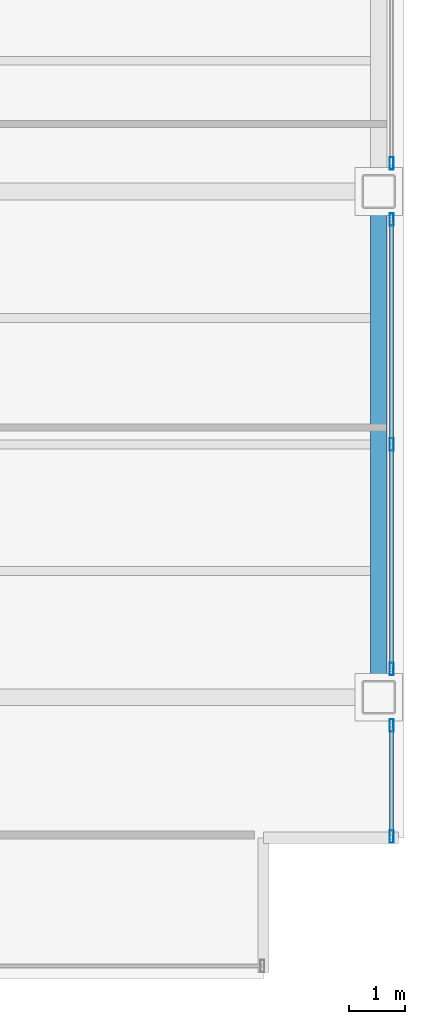
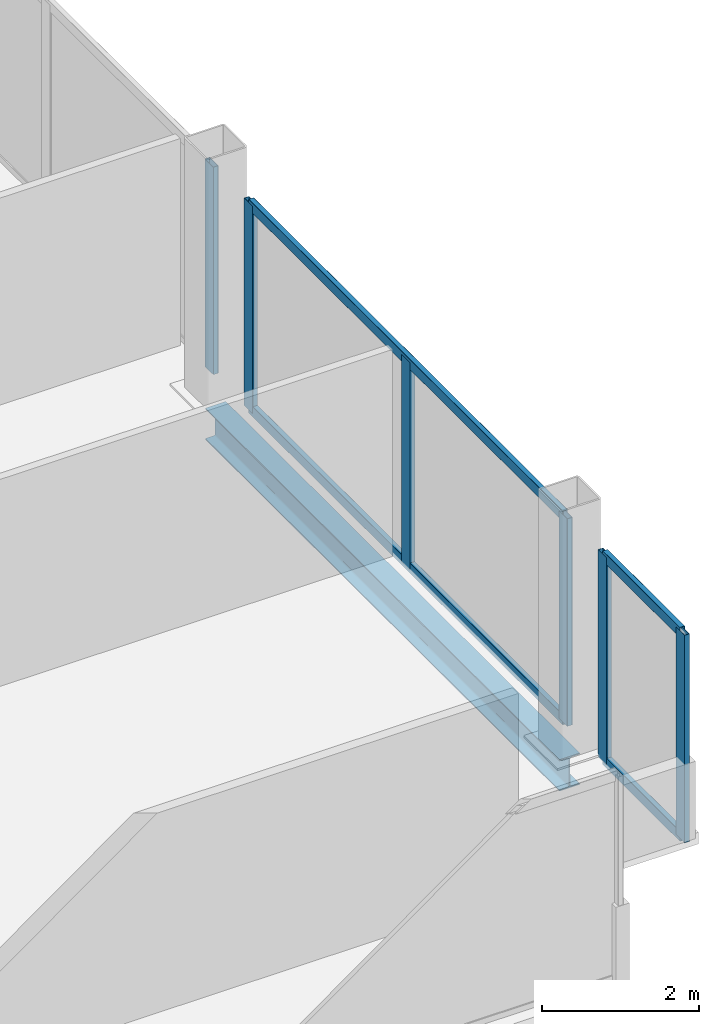
# One storey, part 10 of 20: 10 members, 1 beam, 3 elements without a shape of their own.
"""IFC4 building model written with IfcOpenShell, lengths in metres."""

from ifc_helpers import new_model, si_unit, direction, frame, origin, origin_2d, place, context, subcontext, project, spatial, hollow_rectangle, i_section, extrude, material, material_profile, profile_set, type_object, element, aggregate, save


model = new_model("IFC4")

# Units and contexts
model_context = context("Model", 3, precision=1e-05, world=origin(), true_north=direction((0.0, 1.0)))
body_context = subcontext(model_context, "Body", "Model", "MODEL_VIEW")
ifc_project = project(units=[si_unit("LENGTHUNIT", "METRE"), si_unit("AREAUNIT", "SQUARE_METRE"), si_unit("VOLUMEUNIT", "CUBIC_METRE"), si_unit("PLANEANGLEUNIT", "RADIAN"), si_unit("MASSUNIT", "GRAM", prefix="KILO")], contexts=[model_context])

# Site, building, storey
site_placement = place(None, origin())
site = spatial("IfcSite", under=ifc_project, at=site_placement, CompositionType="ELEMENT")
building_placement = place(site_placement, origin())
building = spatial("IfcBuilding", under=site, at=building_placement, Name="Noeulbin Bourse Tower", CompositionType="ELEMENT")
storey_placement = place(building_placement, frame((0.0, 0.0, 73.300048828125)))
storey = spatial("IfcBuildingStorey", under=building, at=storey_placement, Name="L18", CompositionType="ELEMENT", Elevation=73.300048828125)

# Beam
ifc_material_1 = material(Name="Steel S355", Category="steel")
ifc_material_profile_1 = material_profile(ifc_material_1, i_section(OverallWidth=0.300048828125, OverallDepth=0.488037109375, WebThickness=0.010986328125, FlangeThickness=0.01806640625, FilletRadius=0.02197265625, at=origin_2d()), Name="H-488x300x11x18", Category="LoadBearing")
ifc_profile_set_1 = profile_set([ifc_material_profile_1], Name="Steel S355")
beam_type = type_object("IfcBeamType", Name="BM-SPN-488", PredefinedType="SPANDREL", material=ifc_profile_set_1)
beam_placement = place(storey_placement, frame((57.050048828125, 20.0, -0.424072265625), z_axis=(0.0, 1.0, 0.0), x_axis=(-1.0, 0.0, 0.0)))
element("IfcBeam", 1, at=beam_placement, inside=storey, type_object=beam_type, Name="East Spandrel L18-1", PredefinedType="SPANDREL", context=body_context, shape_type="SweptSolid", body=[
    extrude(i_section(OverallWidth=0.300048828125, OverallDepth=0.488037109375, WebThickness=0.010986328125, FlangeThickness=0.01806640625, FilletRadius=0.02197265625, at=origin_2d()), origin(), (0.0, 0.0, 1.0), 9.0),
])

# Curtain wall, members
ifc_material_2 = material(Name="Dark Solar-Control Double Glazing", Category="glass")
curtain_wall_type = type_object("IfcCurtainWallType", Name="CW-SYS-2", PredefinedType="NOTDEFINED", material=ifc_material_2)
curtain_wall_1_placement = place(storey_placement, origin())
curtain_wall_1 = element("IfcCurtainWall", 2, at=curtain_wall_1_placement, inside=storey, type_object=curtain_wall_type, Name="Unitised Curtain Wall CW-L18-E-S1", PredefinedType="NOTDEFINED")
ifc_material_3 = material(Name="Anodised Aluminium 6063-T6", Category="aluminium")
ifc_material_profile_2 = material_profile(ifc_material_3, hollow_rectangle(XDim=0.074951171875, YDim=0.219970703125, WallThickness=0.0048828125, InnerFilletRadius=0.00244140625, OuterFilletRadius=0.0048828125, at=origin_2d()), Name="ALU-MULL-75x220x5", Category="LoadBearing")
ifc_profile_set_2 = profile_set([ifc_material_profile_2], Name="Anodised Aluminium 6063-T6")
member_type_1 = type_object("IfcMemberType", Name="CW-SYS-2-MUL", PredefinedType="MULLION", material=ifc_profile_set_2)
member_1_placement = place(storey_placement, frame((57.280029296875, 17.52001953125, -0.02001953125), z_axis=(0.0, 0.0, 1.0), x_axis=(1.0, 0.0, 0.0)))
member_1 = element("IfcMember", 3, at=member_1_placement, type_object=member_type_1, Name="Curtain Wall Mullion CW-L18-E-S1-M00", PredefinedType="MULLION", context=body_context, shape_type="SweptSolid", body=[
    extrude(hollow_rectangle(XDim=0.074951171875, YDim=0.219970703125, WallThickness=0.0048828125, InnerFilletRadius=0.00244140625, OuterFilletRadius=0.0048828125, at=origin_2d()), origin(), (0.0, 0.0, 1.0), 3.219970703125),
])
member_2_placement = place(storey_placement, frame((57.280029296875, 19.5, -0.02001953125), z_axis=(0.0, 0.0, 1.0), x_axis=(1.0, 0.0, 0.0)))
member_2 = element("IfcMember", 4, at=member_2_placement, type_object=member_type_1, Name="Curtain Wall Mullion CW-L18-E-S1-M01", PredefinedType="MULLION", context=body_context, shape_type="SweptSolid", body=[
    extrude(hollow_rectangle(XDim=0.074951171875, YDim=0.219970703125, WallThickness=0.0048828125, InnerFilletRadius=0.00244140625, OuterFilletRadius=0.0048828125, at=origin_2d()), origin(), (0.0, 0.0, 1.0), 3.219970703125),
])

curtain_wall_2_placement = place(storey_placement, origin())
curtain_wall_2 = element("IfcCurtainWall", 5, at=curtain_wall_2_placement, inside=storey, type_object=curtain_wall_type, Name="Unitised Curtain Wall CW-L18-E-S2", PredefinedType="NOTDEFINED")
member_3_placement = place(storey_placement, frame((57.280029296875, 20.5, -0.02001953125), z_axis=(0.0, 0.0, 1.0), x_axis=(1.0, 0.0, 0.0)))
member_3 = element("IfcMember", 6, at=member_3_placement, type_object=member_type_1, Name="Curtain Wall Mullion CW-L18-E-S2-M00", PredefinedType="MULLION", context=body_context, shape_type="SweptSolid", body=[
    extrude(hollow_rectangle(XDim=0.074951171875, YDim=0.219970703125, WallThickness=0.0048828125, InnerFilletRadius=0.00244140625, OuterFilletRadius=0.0048828125, at=origin_2d()), origin(), (0.0, 0.0, 1.0), 3.219970703125),
])
member_4_placement = place(storey_placement, frame((57.280029296875, 24.5, -0.02001953125), z_axis=(0.0, 0.0, 1.0), x_axis=(1.0, 0.0, 0.0)))
member_4 = element("IfcMember", 7, at=member_4_placement, type_object=member_type_1, Name="Curtain Wall Mullion CW-L18-E-S2-M01", PredefinedType="MULLION", context=body_context, shape_type="SweptSolid", body=[
    extrude(hollow_rectangle(XDim=0.074951171875, YDim=0.219970703125, WallThickness=0.0048828125, InnerFilletRadius=0.00244140625, OuterFilletRadius=0.0048828125, at=origin_2d()), origin(), (0.0, 0.0, 1.0), 3.219970703125),
])
member_5_placement = place(storey_placement, frame((57.280029296875, 28.5, -0.02001953125), z_axis=(0.0, 0.0, 1.0), x_axis=(1.0, 0.0, 0.0)))
member_5 = element("IfcMember", 8, at=member_5_placement, type_object=member_type_1, Name="Curtain Wall Mullion CW-L18-E-S2-M02", PredefinedType="MULLION", context=body_context, shape_type="SweptSolid", body=[
    extrude(hollow_rectangle(XDim=0.074951171875, YDim=0.219970703125, WallThickness=0.0048828125, InnerFilletRadius=0.00244140625, OuterFilletRadius=0.0048828125, at=origin_2d()), origin(), (0.0, 0.0, 1.0), 3.219970703125),
])

# Curtain wall, member
curtain_wall_3_placement = place(storey_placement, origin())
curtain_wall_3 = element("IfcCurtainWall", 9, at=curtain_wall_3_placement, inside=storey, type_object=curtain_wall_type, Name="Unitised Curtain Wall CW-L18-E-S3", PredefinedType="NOTDEFINED")
member_6_placement = place(storey_placement, frame((57.280029296875, 29.5, -0.02001953125), z_axis=(0.0, 0.0, 1.0), x_axis=(1.0, 0.0, 0.0)))
member_6 = element("IfcMember", 10, at=member_6_placement, type_object=member_type_1, Name="Curtain Wall Mullion CW-L18-E-S3-M00", PredefinedType="MULLION", context=body_context, shape_type="SweptSolid", body=[
    extrude(hollow_rectangle(XDim=0.074951171875, YDim=0.219970703125, WallThickness=0.0048828125, InnerFilletRadius=0.00244140625, OuterFilletRadius=0.0048828125, at=origin_2d()), origin(), (0.0, 0.0, 1.0), 3.219970703125),
])
aggregate(curtain_wall_3, [member_6])

# Member
ifc_material_profile_3 = material_profile(ifc_material_3, hollow_rectangle(XDim=0.074951171875, YDim=0.159912109375, WallThickness=0.0048828125, InnerFilletRadius=0.00244140625, OuterFilletRadius=0.0048828125, at=origin_2d()), Name="ALU-TRAN-75x160x5", Category="LoadBearing")
ifc_profile_set_3 = profile_set([ifc_material_profile_3], Name="Anodised Aluminium 6063-T6")
member_type_2 = type_object("IfcMemberType", Name="CW-SYS-2-TRN", PredefinedType="USERDEFINED", material=ifc_profile_set_3)
member_7_placement = place(storey_placement, frame((57.280029296875, 17.530029296875, 0.010009765625), z_axis=(0.0, 1.0, 0.0), x_axis=(-1.0, 0.0, 0.0)))
member_7 = element("IfcMember", 11, at=member_7_placement, type_object=member_type_2, Name="Curtain Wall Transom CW-L18-E-S1-T00", ObjectType="TRANSOM", PredefinedType="USERDEFINED", context=body_context, shape_type="SweptSolid", body=[
    extrude(hollow_rectangle(XDim=0.074951171875, YDim=0.159912109375, WallThickness=0.0048828125, InnerFilletRadius=0.00244140625, OuterFilletRadius=0.0048828125, at=origin_2d()), origin(), (0.0, 0.0, 1.0), 1.9599609375),
])

member_8_placement = place(storey_placement, frame((57.280029296875, 17.530029296875, 3.169921875), z_axis=(0.0, 1.0, 0.0), x_axis=(-1.0, 0.0, 0.0)))
member_8 = element("IfcMember", 12, at=member_8_placement, type_object=member_type_2, Name="Curtain Wall Transom CW-L18-E-S1-T01", ObjectType="TRANSOM", PredefinedType="USERDEFINED", context=body_context, shape_type="SweptSolid", body=[
    extrude(hollow_rectangle(XDim=0.074951171875, YDim=0.159912109375, WallThickness=0.0048828125, InnerFilletRadius=0.00244140625, OuterFilletRadius=0.0048828125, at=origin_2d()), origin(), (0.0, 0.0, 1.0), 1.9599609375),
])

aggregate(curtain_wall_1, [member_1, member_2, member_7, member_8])

member_9_placement = place(storey_placement, frame((57.280029296875, 20.510009765625, 0.010009765625), z_axis=(0.0, 1.0, 0.0), x_axis=(-1.0, 0.0, 0.0)))
member_9 = element("IfcMember", 13, at=member_9_placement, type_object=member_type_2, Name="Curtain Wall Transom CW-L18-E-S2-T00", ObjectType="TRANSOM", PredefinedType="USERDEFINED", context=body_context, shape_type="SweptSolid", body=[
    extrude(hollow_rectangle(XDim=0.074951171875, YDim=0.159912109375, WallThickness=0.0048828125, InnerFilletRadius=0.00244140625, OuterFilletRadius=0.0048828125, at=origin_2d()), origin(), (0.0, 0.0, 1.0), 7.97998046875),
])

member_10_placement = place(storey_placement, frame((57.280029296875, 20.510009765625, 3.169921875), z_axis=(0.0, 1.0, 0.0), x_axis=(-1.0, 0.0, 0.0)))
member_10 = element("IfcMember", 14, at=member_10_placement, type_object=member_type_2, Name="Curtain Wall Transom CW-L18-E-S2-T01", ObjectType="TRANSOM", PredefinedType="USERDEFINED", context=body_context, shape_type="SweptSolid", body=[
    extrude(hollow_rectangle(XDim=0.074951171875, YDim=0.159912109375, WallThickness=0.0048828125, InnerFilletRadius=0.00244140625, OuterFilletRadius=0.0048828125, at=origin_2d()), origin(), (0.0, 0.0, 1.0), 7.97998046875),
])

aggregate(curtain_wall_2, [member_3, member_4, member_5, member_9, member_10])

save(model, "model.ifc")
